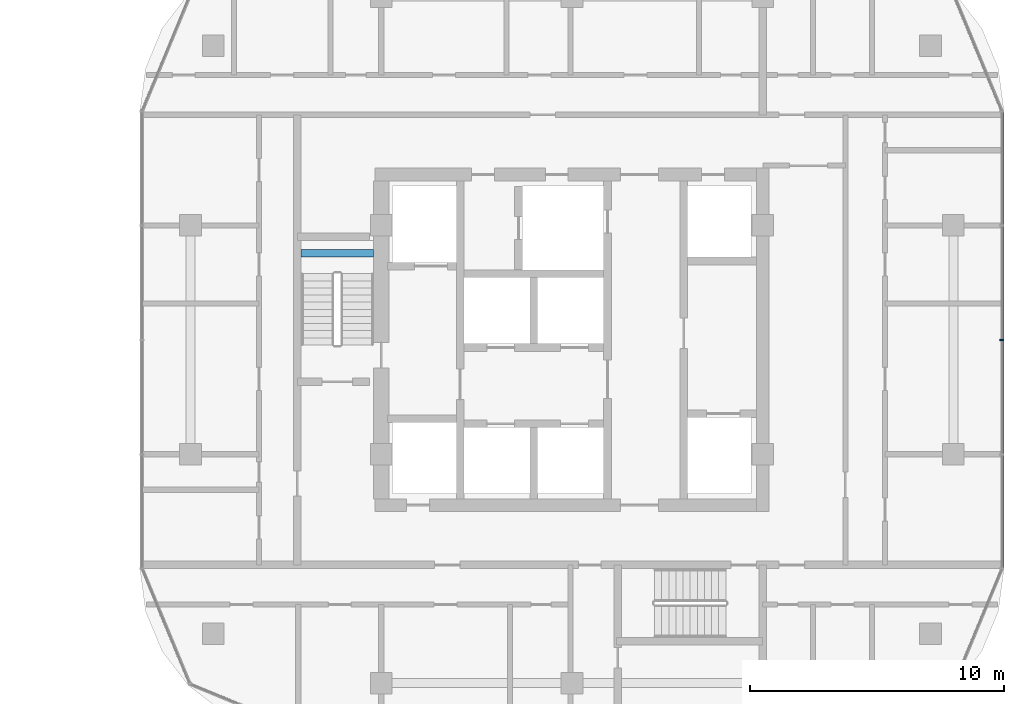
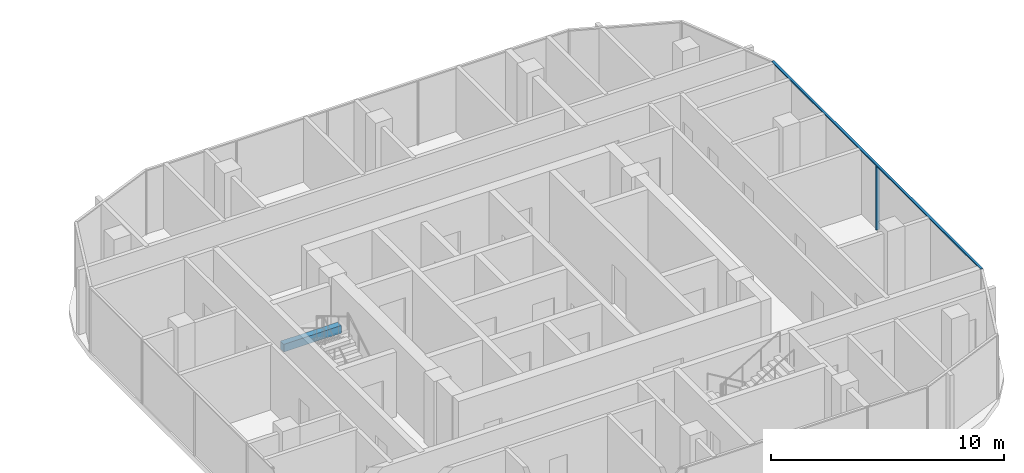
# One storey, part 12 of 32: 2 members, 1 beam, 1 element without a shape of its own.
"""IFC4 building model written with IfcOpenShell, lengths in metres."""

from ifc_helpers import new_model, si_unit, direction, frame, origin, origin_2d, place, context, subcontext, project, spatial, rectangle, extrude, material, material_profile, profile_set, type_object, element, aggregate, save


model = new_model("IFC4")

# Units and contexts
model_context = context("Model", 3, precision=1e-05, world=origin(), true_north=direction((0.0, 1.0)))
body_context = subcontext(model_context, "Body", "Model", "MODEL_VIEW")
ifc_project = project(units=[si_unit("LENGTHUNIT", "METRE"), si_unit("AREAUNIT", "SQUARE_METRE"), si_unit("VOLUMEUNIT", "CUBIC_METRE"), si_unit("PLANEANGLEUNIT", "RADIAN"), si_unit("MASSUNIT", "GRAM", prefix="KILO")], contexts=[model_context])

# Site, building, storey
site_placement = place(None, origin())
site = spatial("IfcSite", under=ifc_project, at=site_placement, CompositionType="ELEMENT")
building_placement = place(site_placement, origin())
building = spatial("IfcBuilding", under=site, at=building_placement, Name="Ogive Portal Towers", CompositionType="ELEMENT")
storey_placement = place(building_placement, frame((0.0, 0.0, 59.39990234375)))
storey = spatial("IfcBuildingStorey", under=building, at=storey_placement, Name="L13", CompositionType="ELEMENT", Elevation=59.39990234375)

# Beam
ifc_material_1 = material(Name="Concrete C40/50", Category="concrete")
ifc_material_profile_1 = material_profile(ifc_material_1, rectangle(XDim=0.300048828125, YDim=0.39990234375, at=origin_2d()), Name="RC 300x400")
ifc_profile_set_1 = profile_set([ifc_material_profile_1], Name="Concrete C40/50")
beam_type = type_object("IfcBeamType", Name="BEAM RC 300x400", PredefinedType="BEAM", material=ifc_profile_set_1)
beam_placement = place(storey_placement, frame((125.85009765625, 34.39990234375, 1.4501953125), z_axis=(1.0, 0.0, 0.0), x_axis=(0.0, 1.0, 0.0)))
element("IfcBeam", 1, at=beam_placement, inside=storey, type_object=beam_type, Name="Landing beam L13", PredefinedType="BEAM", context=body_context, shape_type="SweptSolid", body=[
    extrude(rectangle(XDim=0.300048828125, YDim=0.39990234375, at=origin_2d()), origin(), (0.0, 0.0, 1.0), 2.849853515625),
])

# Curtain wall, members
ifc_material_2 = material(Name="Glass, clear low-iron insulated glazing", Category="glass")
curtain_wall_type = type_object("IfcCurtainWallType", Name="CW RESIDENCES RIBBON", PredefinedType="NOTDEFINED", material=ifc_material_2)
curtain_wall_placement = place(storey_placement, origin())
curtain_wall = element("IfcCurtainWall", 2, at=curtain_wall_placement, inside=storey, type_object=curtain_wall_type, Name="B:L13:f05:cw0", PredefinedType="NOTDEFINED")
ifc_material_3 = material(Name="Aluminium 6063 anodised", Category="aluminium")
ifc_material_profile_2 = material_profile(ifc_material_3, rectangle(XDim=0.159912109375, YDim=0.06005859375, at=origin_2d()), Name="AL 60x160")
ifc_profile_set_2 = profile_set([ifc_material_profile_2], Name="Aluminium 6063 anodised")
member_type_1 = type_object("IfcMemberType", Name="CW MULLION 60x160", PredefinedType="MULLION", material=ifc_profile_set_2)
member_1_placement = place(storey_placement, frame((153.409912109375, 31.0, 0.0), z_axis=(0.0, 0.0, 1.0), x_axis=(-1.0, 0.0, 0.0)))
member_1 = element("IfcMember", 3, at=member_1_placement, type_object=member_type_1, Name="mullion", PredefinedType="MULLION", context=body_context, shape_type="SweptSolid", body=[
    extrude(rectangle(XDim=0.159912109375, YDim=0.06005859375, at=origin_2d()), origin(), (0.0, 0.0, 1.0), 3.340087890625),
])
ifc_material_profile_3 = material_profile(ifc_material_3, rectangle(XDim=0.1201171875, YDim=0.06005859375, at=origin_2d()), Name="AL 120x60")
ifc_profile_set_3 = profile_set([ifc_material_profile_3], Name="Aluminium 6063 anodised")
member_type_2 = type_object("IfcMemberType", Name="CW TRANSOM 60x120", PredefinedType="USERDEFINED", material=ifc_profile_set_3)
member_2_placement = place(storey_placement, frame((153.409912109375, 22.015869140625, 3.3701171875), z_axis=(0.0, 1.0, 0.0), x_axis=(-1.0, 0.0, 0.0)))
member_2 = element("IfcMember", 4, at=member_2_placement, type_object=member_type_2, Name="transom", ObjectType="TRANSOM", PredefinedType="USERDEFINED", context=body_context, shape_type="SweptSolid", body=[
    extrude(rectangle(XDim=0.1201171875, YDim=0.06005859375, at=origin_2d()), origin(), (0.0, 0.0, 1.0), 17.96826171875),
])
aggregate(curtain_wall, [member_2, member_1])

save(model, "model.ifc")
